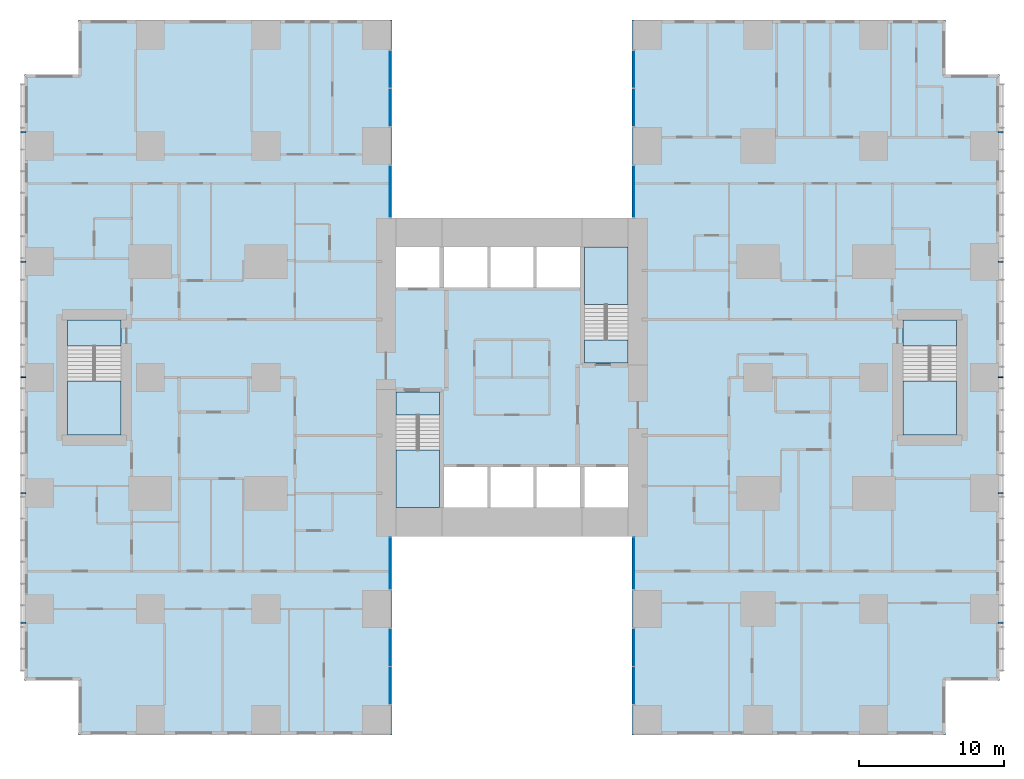
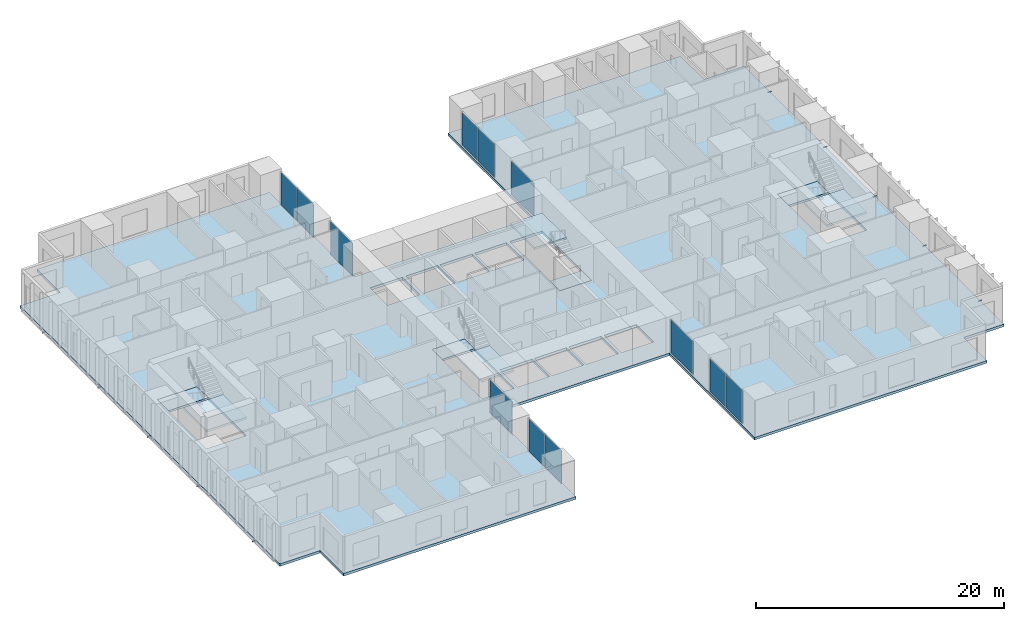
# One storey, part 7 of 20: 12 plates, 10 members, 9 slabs, 12 elements without a shape of their own.
"""IFC4 building model written with IfcOpenShell, lengths in metres."""

from ifc_helpers import new_model, si_unit, direction, frame, origin, origin_2d, place, context, subcontext, project, spatial, polyline, rectangle, hollow_rectangle, outline, extrude, material, layer, layer_set, material_profile, profile_set, type_object, element, aggregate, save


model = new_model("IFC4")

# Units and contexts
model_context = context("Model", 3, precision=1e-05, world=origin(), true_north=direction((0.0, 1.0)))
body_context = subcontext(model_context, "Body", "Model", "MODEL_VIEW")
ifc_project = project(units=[si_unit("LENGTHUNIT", "METRE"), si_unit("AREAUNIT", "SQUARE_METRE"), si_unit("VOLUMEUNIT", "CUBIC_METRE"), si_unit("PLANEANGLEUNIT", "RADIAN"), si_unit("MASSUNIT", "GRAM", prefix="KILO")], contexts=[model_context])

# Site, building, storey
site_placement = place(None, origin())
site = spatial("IfcSite", under=ifc_project, at=site_placement, CompositionType="ELEMENT")
building_placement = place(site_placement, origin())
building = spatial("IfcBuilding", under=site, at=building_placement, Name="Cleftline Residences", CompositionType="ELEMENT")
storey_placement = place(building_placement, frame((0.0, 0.0, 135.800048828125)))
storey = spatial("IfcBuildingStorey", under=building, at=storey_placement, Name="L35", CompositionType="ELEMENT", Elevation=135.800048828125)

# Members
ifc_material_1 = material(Name="Steel S355, hot-dip galvanised", Category="steel")
ifc_material_profile = material_profile(ifc_material_1, hollow_rectangle(XDim=0.10009765625, YDim=0.10009765625, WallThickness=0.008056640625, InnerFilletRadius=0.008056640625, OuterFilletRadius=0.011962890625, at=origin_2d()))
ifc_profile_set = profile_set([ifc_material_profile], Name="Steel S355, hot-dip galvanised")
member_type = type_object("IfcMemberType", Name="BAGUETTE BRACKET SHS 100X100X8", PredefinedType="USERDEFINED", material=ifc_profile_set)
for number, where, z_axis, x_axis, name in (
    (1, (66.60009765625, 7.050048828125, -0.150146484375), (1.0, 0.0, 0.0), (0.0, 1.0, 0.0), "Baguette bracket"),
    (2, (66.60009765625, 16.0, -0.150146484375), (1.0, 0.0, 0.0), (0.0, 1.0, 0.0), "Baguette bracket"),
    (3, (66.60009765625, 24.0, -0.150146484375), (1.0, 0.0, 0.0), (0.0, 1.0, 0.0), "Baguette bracket"),
    (4, (66.60009765625, 32.0, -0.150146484375), (1.0, 0.0, 0.0), (0.0, 1.0, 0.0), "Baguette bracket"),
    (5, (66.60009765625, 40.949951171875, -0.150146484375), (1.0, 0.0, 0.0), (0.0, 1.0, 0.0), "Baguette bracket"),
    (6, (-0.60009765625, 40.949951171875, -0.150146484375), (-1.0, 0.0, 0.0), (0.0, -1.0, 0.0), "Baguette bracket"),
    (7, (-0.60009765625, 32.0, -0.150146484375), (-1.0, 0.0, 0.0), (0.0, -1.0, 0.0), "Baguette bracket"),
    (8, (-0.60009765625, 24.0, -0.150146484375), (-1.0, 0.0, 0.0), (0.0, -1.0, 0.0), "Baguette bracket"),
    (9, (-0.60009765625, 16.0, -0.150146484375), (-1.0, 0.0, 0.0), (0.0, -1.0, 0.0), "Baguette bracket"),
    (10, (-0.60009765625, 7.050048828125, -0.150146484375), (-1.0, 0.0, 0.0), (0.0, -1.0, 0.0), "Baguette bracket"),
):
    element("IfcMember", number, at=place(storey_placement, frame(where, z_axis=z_axis, x_axis=x_axis)), inside=storey, type_object=member_type, Name=name, ObjectType="BAGUETTE BRACKET", PredefinedType="USERDEFINED", context=body_context, shape_type="SweptSolid", body=[
        extrude(hollow_rectangle(XDim=0.10009765625, YDim=0.10009765625, WallThickness=0.008056640625, InnerFilletRadius=0.008056640625, OuterFilletRadius=0.011962890625, at=origin_2d()), origin(), (0.0, 0.0, 1.0), 0.349853515625),
    ])

# Curtain wall, plates
ifc_material_2 = material(Name="Aluminium framed curtain wall", Category="aluminium")
ifc_layer_1 = layer(ifc_material_2, 0.199951171875)
ifc_layer_set_1 = layer_set([ifc_layer_1], Name="CW1 CLEFT GLAZING")
curtain_wall_type = type_object("IfcCurtainWallType", Name="CW1 CLEFT GLAZING", PredefinedType="NOTDEFINED", material=ifc_layer_set_1)
curtain_wall_1_placement = place(storey_placement, origin())
curtain_wall_1 = element("IfcCurtainWall", 11, at=curtain_wall_1_placement, inside=storey, type_object=curtain_wall_type, Name="Curtain wall CW1", PredefinedType="NOTDEFINED")
ifc_material_3 = material(Name="Laminated clear glass", Category="glass")
ifc_layer_2 = layer(ifc_material_3, 0.028076171875)
ifc_layer_set_2 = layer_set([ifc_layer_2], Name="CW1 GLASS PANEL")
plate_type = type_object("IfcPlateType", Name="CW1 GLASS PANEL", PredefinedType="CURTAIN_PANEL", material=ifc_layer_set_2)
plate_1_placement = place(storey_placement, frame((24.574951171875, 2.702392578125, 0.06005859375), z_axis=(0.0, 0.0, 1.0), x_axis=(0.0, 1.0, 0.0)))
plate_1 = element("IfcPlate", 12, at=plate_1_placement, type_object=plate_type, Name="CW1 panel 1.1", PredefinedType="CURTAIN_PANEL", context=body_context, shape_type="SweptSolid", body=[
    extrude(rectangle(XDim=2.5849609375, YDim=0.028076171875, at=origin_2d()), origin(), (0.0, 0.0, 1.0), 3.22998046875),
])
plate_2_placement = place(storey_placement, frame((24.574951171875, 5.347412109375, 0.06005859375), z_axis=(0.0, 0.0, 1.0), x_axis=(0.0, 1.0, 0.0)))
plate_2 = element("IfcPlate", 13, at=plate_2_placement, type_object=plate_type, Name="CW1 panel 2.1", PredefinedType="CURTAIN_PANEL", context=body_context, shape_type="SweptSolid", body=[
    extrude(rectangle(XDim=2.5849609375, YDim=0.028076171875, at=origin_2d()), origin(), (0.0, 0.0, 1.0), 3.22998046875),
])
aggregate(curtain_wall_1, [plate_1, plate_2])

# Curtain wall, plate
curtain_wall_2_placement = place(storey_placement, origin())
curtain_wall_2 = element("IfcCurtainWall", 14, at=curtain_wall_2_placement, inside=storey, type_object=curtain_wall_type, Name="Curtain wall CW1", PredefinedType="NOTDEFINED")
plate_3_placement = place(storey_placement, frame((24.574951171875, 11.14990234375, 0.06005859375), z_axis=(0.0, 0.0, 1.0), x_axis=(0.0, 1.0, 0.0)))
plate_3 = element("IfcPlate", 15, at=plate_3_placement, type_object=plate_type, Name="CW1 panel 1.1", PredefinedType="CURTAIN_PANEL", context=body_context, shape_type="SweptSolid", body=[
    extrude(rectangle(XDim=3.580078125, YDim=0.028076171875, at=origin_2d()), origin(), (0.0, 0.0, 1.0), 3.22998046875),
])
aggregate(curtain_wall_2, [plate_3])

curtain_wall_3_placement = place(storey_placement, origin())
curtain_wall_3 = element("IfcCurtainWall", 16, at=curtain_wall_3_placement, inside=storey, type_object=curtain_wall_type, Name="Curtain wall CW1", PredefinedType="NOTDEFINED")
plate_4_placement = place(storey_placement, frame((41.425048828125, 11.14990234375, 0.06005859375), z_axis=(0.0, 0.0, 1.0), x_axis=(0.0, -1.0, 0.0)))
plate_4 = element("IfcPlate", 17, at=plate_4_placement, type_object=plate_type, Name="CW1 panel 1.1", PredefinedType="CURTAIN_PANEL", context=body_context, shape_type="SweptSolid", body=[
    extrude(rectangle(XDim=3.580078125, YDim=0.028076171875, at=origin_2d()), origin(), (0.0, 0.0, 1.0), 3.22998046875),
])
aggregate(curtain_wall_3, [plate_4])

# Curtain wall, plates
curtain_wall_4_placement = place(storey_placement, origin())
curtain_wall_4 = element("IfcCurtainWall", 18, at=curtain_wall_4_placement, inside=storey, type_object=curtain_wall_type, Name="Curtain wall CW1", PredefinedType="NOTDEFINED")
plate_5_placement = place(storey_placement, frame((41.425048828125, 5.347412109375, 0.06005859375), z_axis=(0.0, 0.0, 1.0), x_axis=(0.0, -1.0, 0.0)))
plate_5 = element("IfcPlate", 19, at=plate_5_placement, type_object=plate_type, Name="CW1 panel 1.1", PredefinedType="CURTAIN_PANEL", context=body_context, shape_type="SweptSolid", body=[
    extrude(rectangle(XDim=2.5849609375, YDim=0.028076171875, at=origin_2d()), origin(), (0.0, 0.0, 1.0), 3.22998046875),
])
plate_6_placement = place(storey_placement, frame((41.425048828125, 2.702392578125, 0.06005859375), z_axis=(0.0, 0.0, 1.0), x_axis=(0.0, -1.0, 0.0)))
plate_6 = element("IfcPlate", 20, at=plate_6_placement, type_object=plate_type, Name="CW1 panel 2.1", PredefinedType="CURTAIN_PANEL", context=body_context, shape_type="SweptSolid", body=[
    extrude(rectangle(XDim=2.5849609375, YDim=0.028076171875, at=origin_2d()), origin(), (0.0, 0.0, 1.0), 3.22998046875),
])
aggregate(curtain_wall_4, [plate_5, plate_6])

curtain_wall_5_placement = place(storey_placement, origin())
curtain_wall_5 = element("IfcCurtainWall", 21, at=curtain_wall_5_placement, inside=storey, type_object=curtain_wall_type, Name="Curtain wall CW1", PredefinedType="NOTDEFINED")
plate_7_placement = place(storey_placement, frame((41.425048828125, 45.297607421875, 0.06005859375), z_axis=(0.0, 0.0, 1.0), x_axis=(0.0, -1.0, 0.0)))
plate_7 = element("IfcPlate", 22, at=plate_7_placement, type_object=plate_type, Name="CW1 panel 1.1", PredefinedType="CURTAIN_PANEL", context=body_context, shape_type="SweptSolid", body=[
    extrude(rectangle(XDim=2.5849609375, YDim=0.028076171875, at=origin_2d()), origin(), (0.0, 0.0, 1.0), 3.22998046875),
])
plate_8_placement = place(storey_placement, frame((41.425048828125, 42.652587890625, 0.06005859375), z_axis=(0.0, 0.0, 1.0), x_axis=(0.0, -1.0, 0.0)))
plate_8 = element("IfcPlate", 23, at=plate_8_placement, type_object=plate_type, Name="CW1 panel 2.1", PredefinedType="CURTAIN_PANEL", context=body_context, shape_type="SweptSolid", body=[
    extrude(rectangle(XDim=2.5849609375, YDim=0.028076171875, at=origin_2d()), origin(), (0.0, 0.0, 1.0), 3.22998046875),
])
aggregate(curtain_wall_5, [plate_7, plate_8])

# Curtain wall, plate
curtain_wall_6_placement = place(storey_placement, origin())
curtain_wall_6 = element("IfcCurtainWall", 24, at=curtain_wall_6_placement, inside=storey, type_object=curtain_wall_type, Name="Curtain wall CW1", PredefinedType="NOTDEFINED")
plate_9_placement = place(storey_placement, frame((41.425048828125, 36.85009765625, 0.06005859375), z_axis=(0.0, 0.0, 1.0), x_axis=(0.0, -1.0, 0.0)))
plate_9 = element("IfcPlate", 25, at=plate_9_placement, type_object=plate_type, Name="CW1 panel 1.1", PredefinedType="CURTAIN_PANEL", context=body_context, shape_type="SweptSolid", body=[
    extrude(rectangle(XDim=3.580078125, YDim=0.028076171875, at=origin_2d()), origin(), (0.0, 0.0, 1.0), 3.22998046875),
])
aggregate(curtain_wall_6, [plate_9])

curtain_wall_7_placement = place(storey_placement, origin())
curtain_wall_7 = element("IfcCurtainWall", 26, at=curtain_wall_7_placement, inside=storey, type_object=curtain_wall_type, Name="Curtain wall CW1", PredefinedType="NOTDEFINED")
plate_10_placement = place(storey_placement, frame((24.574951171875, 36.85009765625, 0.06005859375), z_axis=(0.0, 0.0, 1.0), x_axis=(0.0, 1.0, 0.0)))
plate_10 = element("IfcPlate", 27, at=plate_10_placement, type_object=plate_type, Name="CW1 panel 1.1", PredefinedType="CURTAIN_PANEL", context=body_context, shape_type="SweptSolid", body=[
    extrude(rectangle(XDim=3.580078125, YDim=0.028076171875, at=origin_2d()), origin(), (0.0, 0.0, 1.0), 3.22998046875),
])
aggregate(curtain_wall_7, [plate_10])

# Curtain wall, plates
curtain_wall_8_placement = place(storey_placement, origin())
curtain_wall_8 = element("IfcCurtainWall", 28, at=curtain_wall_8_placement, inside=storey, type_object=curtain_wall_type, Name="Curtain wall CW1", PredefinedType="NOTDEFINED")
plate_11_placement = place(storey_placement, frame((24.574951171875, 42.652587890625, 0.06005859375), z_axis=(0.0, 0.0, 1.0), x_axis=(0.0, 1.0, 0.0)))
plate_11 = element("IfcPlate", 29, at=plate_11_placement, type_object=plate_type, Name="CW1 panel 1.1", PredefinedType="CURTAIN_PANEL", context=body_context, shape_type="SweptSolid", body=[
    extrude(rectangle(XDim=2.5849609375, YDim=0.028076171875, at=origin_2d()), origin(), (0.0, 0.0, 1.0), 3.22998046875),
])
plate_12_placement = place(storey_placement, frame((24.574951171875, 45.297607421875, 0.06005859375), z_axis=(0.0, 0.0, 1.0), x_axis=(0.0, 1.0, 0.0)))
plate_12 = element("IfcPlate", 30, at=plate_12_placement, type_object=plate_type, Name="CW1 panel 2.1", PredefinedType="CURTAIN_PANEL", context=body_context, shape_type="SweptSolid", body=[
    extrude(rectangle(XDim=2.5849609375, YDim=0.028076171875, at=origin_2d()), origin(), (0.0, 0.0, 1.0), 3.22998046875),
])
aggregate(curtain_wall_8, [plate_11, plate_12])

# Slab
ifc_material_4 = material(Name="Concrete B45", Category="concrete")
ifc_layer_3 = layer(ifc_material_4, 0.25)
ifc_layer_set_3 = layer_set([ifc_layer_3], Name="FLOOR SLAB 250")
slab_type_1 = type_object("IfcSlabType", Name="FLOOR SLAB 250", PredefinedType="FLOOR", material=ifc_layer_set_3)
slab_1_placement = place(storey_placement, frame((0.0, 0.0, -0.25)))
element("IfcSlab", 31, at=slab_1_placement, inside=storey, type_object=slab_type_1, Name="Floor slab L35", PredefinedType="FLOOR", context=body_context, shape_type="SweptSolid", body=[
    extrude(outline(polyline([(24.699951171875, 13.0), (41.300048828125, 13.0), (41.300048828125, -0.699951171875), (62.949951171875, -0.699951171875), (62.949951171875, 3.050048828125), (66.699951171875, 3.050048828125), (66.699951171875, 44.949951171875), (62.949951171875, 44.949951171875), (62.949951171875, 48.699951171875), (41.300048828125, 48.699951171875), (41.300048828125, 35.0), (24.699951171875, 35.0), (24.699951171875, 48.699951171875), (3.050048828125, 48.699951171875), (3.050048828125, 44.949951171875), (-0.699951171875, 44.949951171875), (-0.699951171875, 3.050048828125), (3.050048828125, 3.050048828125), (3.050048828125, -0.699951171875), (24.699951171875, -0.699951171875), (24.699951171875, 13.0)]), holes=[polyline([(28.0, 15.0), (28.0, 23.0), (25.0, 23.0), (25.0, 15.0), (28.0, 15.0)]), polyline([(41.0, 25.0), (41.0, 33.0), (38.0, 33.0), (38.0, 25.0), (41.0, 25.0)]), polyline([(28.0, 30.199951171875), (28.0, 33.0), (25.0, 33.0), (25.0, 30.199951171875), (28.0, 30.199951171875)]), polyline([(41.0, 15.0), (41.0, 17.800048828125), (38.0, 17.800048828125), (38.0, 15.0), (41.0, 15.0)]), polyline([(31.300048828125, 15.0), (31.300048828125, 17.800048828125), (28.300048828125, 17.800048828125), (28.300048828125, 15.0), (31.300048828125, 15.0)]), polyline([(34.5, 15.0), (34.5, 17.800048828125), (31.5, 17.800048828125), (31.5, 15.0), (34.5, 15.0)]), polyline([(37.699951171875, 15.0), (37.699951171875, 17.800048828125), (34.699951171875, 17.800048828125), (34.699951171875, 15.0), (37.699951171875, 15.0)]), polyline([(31.300048828125, 30.199951171875), (31.300048828125, 33.0), (28.300048828125, 33.0), (28.300048828125, 30.199951171875), (31.300048828125, 30.199951171875)]), polyline([(34.5, 30.199951171875), (34.5, 33.0), (31.5, 33.0), (31.5, 30.199951171875), (34.5, 30.199951171875)]), polyline([(37.699951171875, 30.199951171875), (37.699951171875, 33.0), (34.699951171875, 33.0), (34.699951171875, 30.199951171875), (37.699951171875, 30.199951171875)]), polyline([(63.72509765625, 20.02490234375), (63.72509765625, 27.97509765625), (60.02490234375, 27.97509765625), (60.02490234375, 20.02490234375), (63.72509765625, 20.02490234375)]), polyline([(5.97509765625, 20.02490234375), (5.97509765625, 27.97509765625), (2.27490234375, 27.97509765625), (2.27490234375, 20.02490234375), (5.97509765625, 20.02490234375)])]), origin(), (0.0, 0.0, 1.0), 0.25),
])

# Stair, slabs
ifc_material_5 = material(Name="Concrete B45, stone treads", Category="masonry")
stair_type_1 = type_object("IfcStairType", Name="STAIR A 1450 WIDE 180 RISER", PredefinedType="HALF_TURN_STAIR", material=ifc_material_5)
stair_1_placement = place(storey_placement, origin())
stair_1 = element("IfcStair", 32, at=stair_1_placement, inside=storey, type_object=stair_type_1, Name="Stair A L35", PredefinedType="HALF_TURN_STAIR")
ifc_material_6 = material(Name="Concrete B45", Category="concrete")
ifc_layer_4 = layer(ifc_material_6, 0.199951171875)
ifc_layer_set_4 = layer_set([ifc_layer_4], Name="STAIR LANDING 200")
slab_type_2 = type_object("IfcSlabType", Name="STAIR LANDING 200", PredefinedType="LANDING", material=ifc_layer_set_4)
slab_2_placement = place(storey_placement, frame((0.0, 0.0, -0.199951171875)))
slab_2 = element("IfcSlab", 33, at=slab_2_placement, type_object=slab_type_2, Name="ST-A landing 1", PredefinedType="LANDING", context=body_context, shape_type="SweptSolid", body=[
    extrude(outline(polyline([(25.0, 21.39990234375), (28.0, 21.39990234375), (28.0, 23.0), (25.0, 23.0), (25.0, 21.39990234375)])), origin(), (0.0, 0.0, 1.0), 0.199951171875),
])
slab_3_placement = place(storey_placement, frame((0.0, 0.0, 1.599853515625)))
slab_3 = element("IfcSlab", 34, at=slab_3_placement, type_object=slab_type_2, Name="ST-A landing 2", PredefinedType="LANDING", context=body_context, shape_type="SweptSolid", body=[
    extrude(outline(polyline([(25.0, 15.0), (28.0, 15.0), (28.0, 18.969970703125), (25.0, 18.969970703125), (25.0, 15.0)])), origin(), (0.0, 0.0, 1.0), 0.2001953125),
])
aggregate(stair_1, [slab_2, slab_3])

ifc_material_7 = material(Name="Concrete B45, stone treads", Category="masonry")
stair_type_2 = type_object("IfcStairType", Name="STAIR B 1450 WIDE 180 RISER", PredefinedType="HALF_TURN_STAIR", material=ifc_material_7)
stair_2_placement = place(storey_placement, origin())
stair_2 = element("IfcStair", 35, at=stair_2_placement, inside=storey, type_object=stair_type_2, Name="Stair B L35", PredefinedType="HALF_TURN_STAIR")
slab_4_placement = place(storey_placement, frame((0.0, 0.0, -0.199951171875)))
slab_4 = element("IfcSlab", 36, at=slab_4_placement, type_object=slab_type_2, Name="ST-B landing 1", PredefinedType="LANDING", context=body_context, shape_type="SweptSolid", body=[
    extrude(outline(polyline([(38.0, 25.0), (41.0, 25.0), (41.0, 26.60009765625), (38.0, 26.60009765625), (38.0, 25.0)])), origin(), (0.0, 0.0, 1.0), 0.199951171875),
])
slab_5_placement = place(storey_placement, frame((0.0, 0.0, 1.599853515625)))
slab_5 = element("IfcSlab", 37, at=slab_5_placement, type_object=slab_type_2, Name="ST-B landing 2", PredefinedType="LANDING", context=body_context, shape_type="SweptSolid", body=[
    extrude(outline(polyline([(38.0, 29.030029296875), (41.0, 29.030029296875), (41.0, 33.0), (38.0, 33.0), (38.0, 29.030029296875)])), origin(), (0.0, 0.0, 1.0), 0.2001953125),
])
aggregate(stair_2, [slab_4, slab_5])

ifc_material_8 = material(Name="Concrete B45, stone treads", Category="masonry")
stair_type_3 = type_object("IfcStairType", Name="STAIR E 1800 WIDE 180 RISER", PredefinedType="HALF_TURN_STAIR", material=ifc_material_8)
stair_3_placement = place(storey_placement, origin())
stair_3 = element("IfcStair", 38, at=stair_3_placement, inside=storey, type_object=stair_type_3, Name="Stair E L35", PredefinedType="HALF_TURN_STAIR")
slab_6_placement = place(storey_placement, frame((0.0, 0.0, -0.199951171875)))
slab_6 = element("IfcSlab", 39, at=slab_6_placement, type_object=slab_type_2, Name="ST-E landing 1", PredefinedType="LANDING", context=body_context, shape_type="SweptSolid", body=[
    extrude(outline(polyline([(60.02490234375, 26.175048828125), (63.72509765625, 26.175048828125), (63.72509765625, 27.97509765625), (60.02490234375, 27.97509765625), (60.02490234375, 26.175048828125)])), origin(), (0.0, 0.0, 1.0), 0.199951171875),
])
slab_7_placement = place(storey_placement, frame((0.0, 0.0, 1.599853515625)))
slab_7 = element("IfcSlab", 40, at=slab_7_placement, type_object=slab_type_2, Name="ST-E landing 2", PredefinedType="LANDING", context=body_context, shape_type="SweptSolid", body=[
    extrude(outline(polyline([(60.02490234375, 20.02490234375), (63.72509765625, 20.02490234375), (63.72509765625, 23.7451171875), (60.02490234375, 23.7451171875), (60.02490234375, 20.02490234375)])), origin(), (0.0, 0.0, 1.0), 0.2001953125),
])
aggregate(stair_3, [slab_6, slab_7])

ifc_material_9 = material(Name="Concrete B45, stone treads", Category="masonry")
stair_type_4 = type_object("IfcStairType", Name="STAIR W 1800 WIDE 180 RISER", PredefinedType="HALF_TURN_STAIR", material=ifc_material_9)
stair_4_placement = place(storey_placement, origin())
stair_4 = element("IfcStair", 41, at=stair_4_placement, inside=storey, type_object=stair_type_4, Name="Stair W L35", PredefinedType="HALF_TURN_STAIR")
slab_8_placement = place(storey_placement, frame((0.0, 0.0, -0.199951171875)))
slab_8 = element("IfcSlab", 42, at=slab_8_placement, type_object=slab_type_2, Name="ST-W landing 1", PredefinedType="LANDING", context=body_context, shape_type="SweptSolid", body=[
    extrude(outline(polyline([(2.27490234375, 26.175048828125), (5.97509765625, 26.175048828125), (5.97509765625, 27.97509765625), (2.27490234375, 27.97509765625), (2.27490234375, 26.175048828125)])), origin(), (0.0, 0.0, 1.0), 0.199951171875),
])
slab_9_placement = place(storey_placement, frame((0.0, 0.0, 1.599853515625)))
slab_9 = element("IfcSlab", 43, at=slab_9_placement, type_object=slab_type_2, Name="ST-W landing 2", PredefinedType="LANDING", context=body_context, shape_type="SweptSolid", body=[
    extrude(outline(polyline([(2.27490234375, 20.02490234375), (5.97509765625, 20.02490234375), (5.97509765625, 23.7451171875), (2.27490234375, 23.7451171875), (2.27490234375, 20.02490234375)])), origin(), (0.0, 0.0, 1.0), 0.2001953125),
])
aggregate(stair_4, [slab_8, slab_9])

save(model, "model.ifc")
